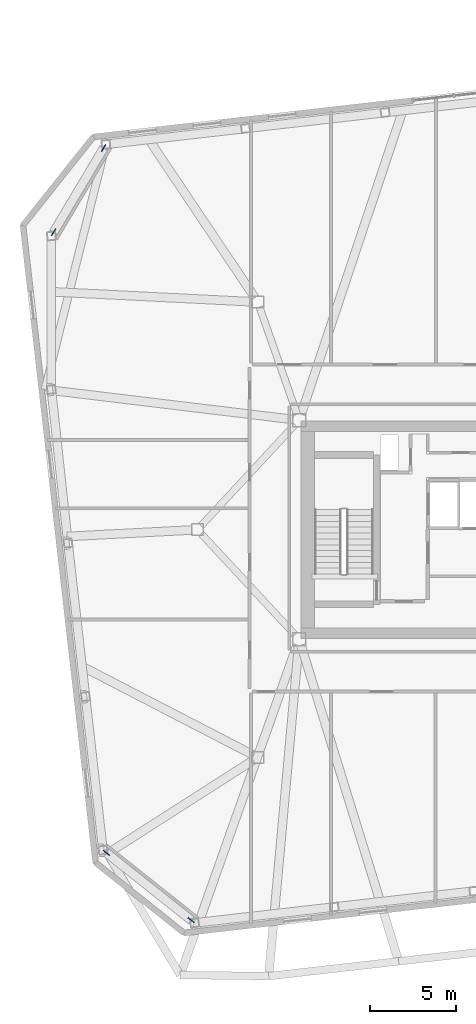
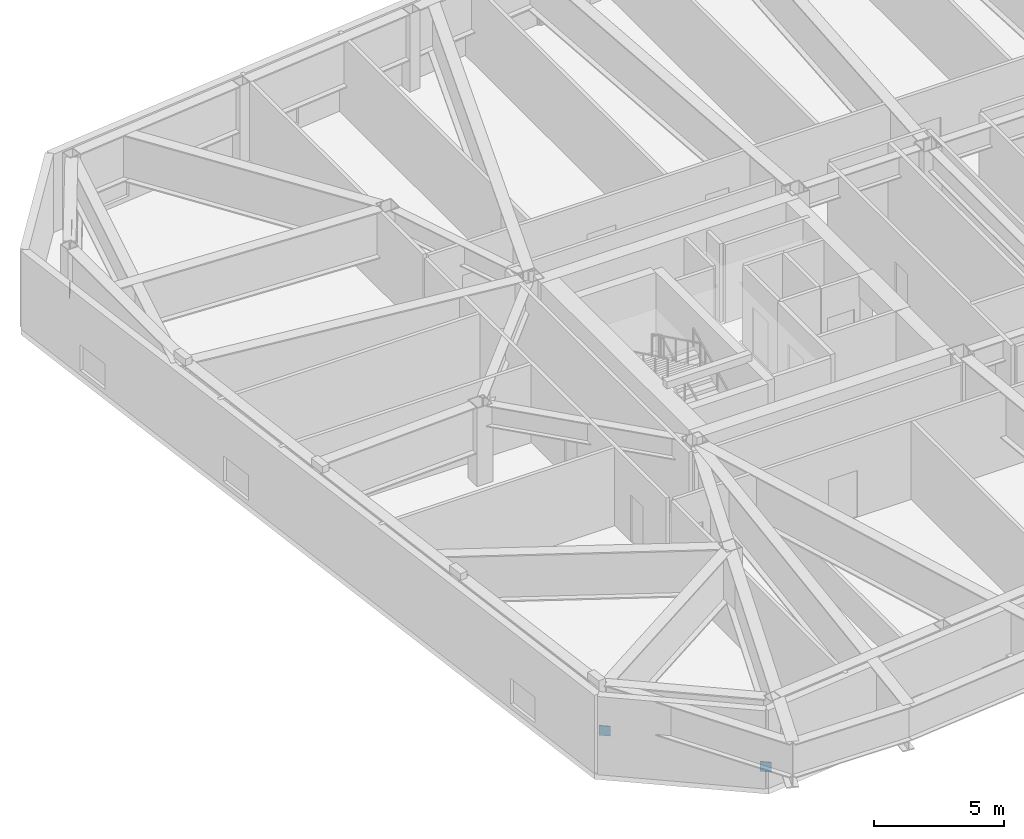
# One storey, part 16 of 18: 4 discrete accessories.
"""IFC4 building model written with IfcOpenShell, lengths in metres."""

from ifc_helpers import new_model, si_unit, direction, frame, origin, origin_2d, place, context, subcontext, project, spatial, rectangle, extrude, material, type_object, element, save


model = new_model("IFC4")

# Units and contexts
model_context = context("Model", 3, precision=1e-05, world=origin(), true_north=direction((0.0, 1.0)))
body_context = subcontext(model_context, "Body", "Model", "MODEL_VIEW")
ifc_project = project(units=[si_unit("LENGTHUNIT", "METRE"), si_unit("AREAUNIT", "SQUARE_METRE"), si_unit("VOLUMEUNIT", "CUBIC_METRE"), si_unit("PLANEANGLEUNIT", "RADIAN"), si_unit("MASSUNIT", "GRAM", prefix="KILO")], contexts=[model_context])

# Site, building, storey
site_placement = place(None, origin())
site = spatial("IfcSite", under=ifc_project, at=site_placement, CompositionType="ELEMENT")
building_placement = place(site_placement, origin())
building = spatial("IfcBuilding", under=site, at=building_placement, Name="Tavrogorsk Clinical Tower", CompositionType="ELEMENT")
storey_placement = place(building_placement, frame((0.0, 0.0, 267.0)))
storey = spatial("IfcBuildingStorey", under=building, at=storey_placement, Name="L62", CompositionType="ELEMENT", Elevation=267.0)

# Discrete accessories
ifc_material = material(Name="Structural steel S440", Category="steel")
discrete_accessory_type = type_object("IfcDiscreteAccessoryType", Name="GussetPlateBracket_25", PredefinedType="BRACKET", material=ifc_material)
for number, where, z_axis, x_axis, name in (
    (1, (-33.4384765625, 22.127197265625, 0.116455078125), (0.0, 0.0, 1.0), (-0.511443073004, -0.859317160934, 0.0), "L62 Brace Gusset Plate EXOCRN-L62-3-A"),
    (2, (-36.34033203125, 17.2509765625, 1.153564453125), (0.0, 0.0, 1.0), (-0.511443073004, -0.859317160934, 0.0), "L62 Brace Gusset Plate EXOCRN-L62-3-B"),
    (3, (-28.36376953125, -22.64404296875, 0.1123046875), (0.0, 0.0, 1.0), (-0.782608156852, 0.622514636638, 0.0), "L62 Brace Gusset Plate EXOCRN-L62-4-A"),
    (4, (-33.278076171875, -18.735107421875, 1.15771484375), (0.0, 0.0, 1.0), (-0.782608156852, 0.622514636638, 0.0), "L62 Brace Gusset Plate EXOCRN-L62-4-B"),
):
    element("IfcDiscreteAccessory", number, at=place(storey_placement, frame(where, z_axis=z_axis, x_axis=x_axis)), inside=storey, type_object=discrete_accessory_type, Name=name, PredefinedType="BRACKET", context=body_context, shape_type="SweptSolid", body=[
        extrude(rectangle(XDim=0.4599609375, YDim=0.0400390625, at=origin_2d()), origin(), (0.0, 0.0, 1.0), 0.4599609375),
    ])

save(model, "model.ifc")
